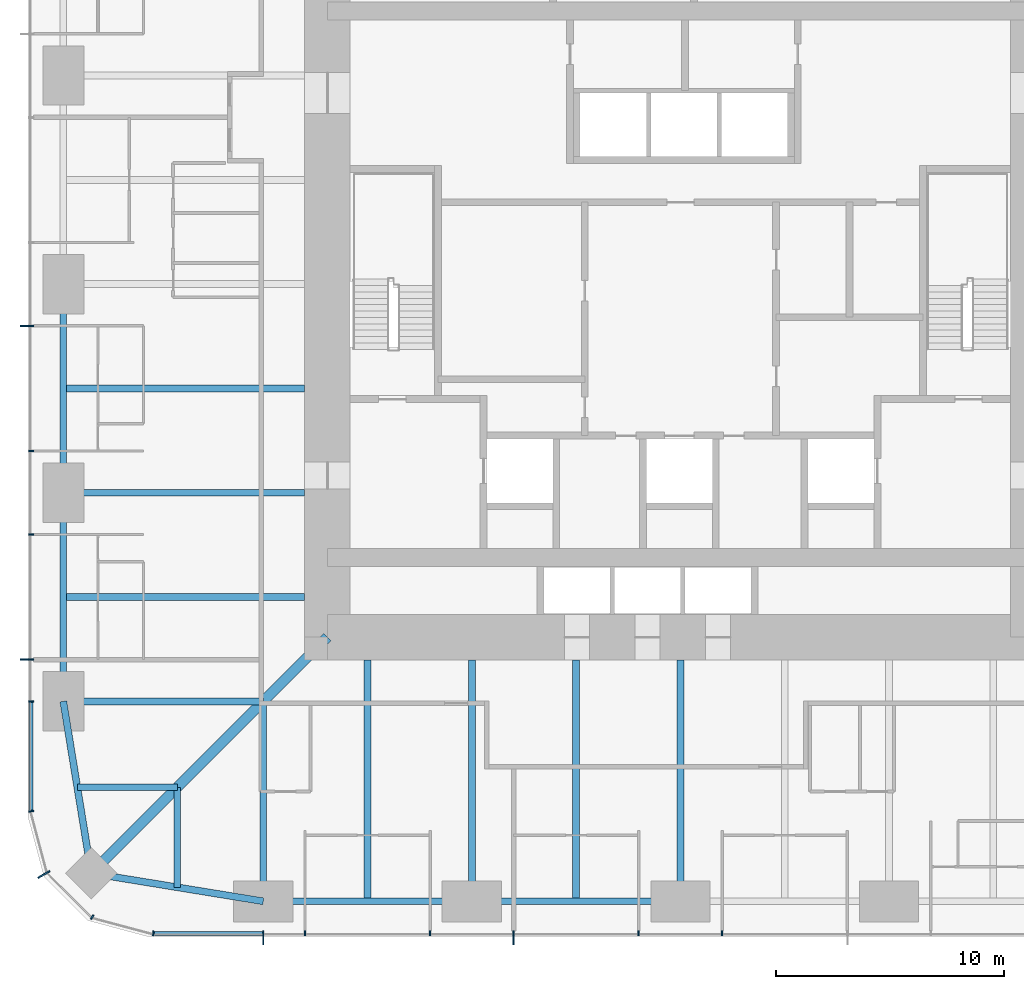
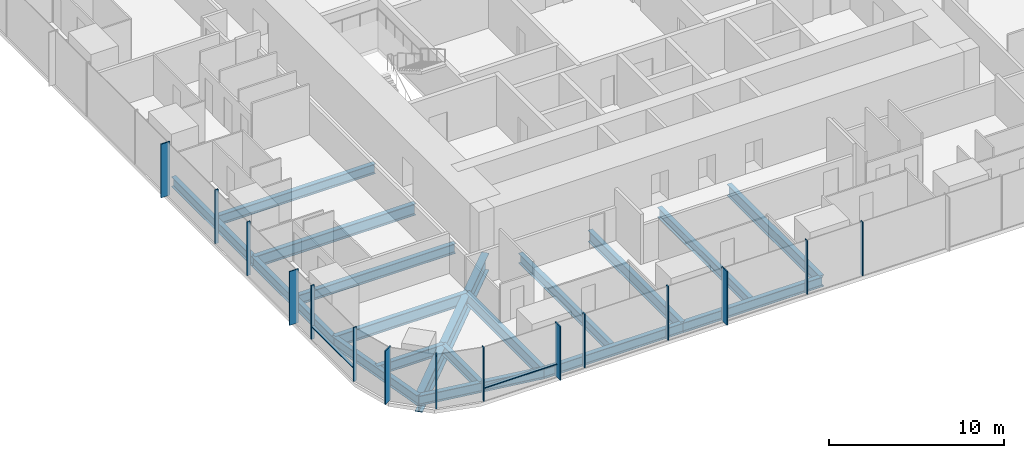
# One storey, part 2 of 13: 18 beams, 17 members, 3 elements without a shape of their own.
"""IFC4 building model written with IfcOpenShell, lengths in metres."""

from ifc_helpers import new_model, si_unit, direction, frame, origin, origin_2d, place, context, subcontext, project, spatial, rectangle, i_section, extrude, material, material_profile, profile_set, type_object, element, aggregate, save


model = new_model("IFC4")

# Units and contexts
model_context = context("Model", 3, precision=1e-05, world=origin(), true_north=direction((0.0, 1.0)))
body_context = subcontext(model_context, "Body", "Model", "MODEL_VIEW")
ifc_project = project(units=[si_unit("LENGTHUNIT", "METRE"), si_unit("AREAUNIT", "SQUARE_METRE"), si_unit("VOLUMEUNIT", "CUBIC_METRE"), si_unit("PLANEANGLEUNIT", "RADIAN"), si_unit("MASSUNIT", "GRAM", prefix="KILO")], contexts=[model_context])

# Site, building, storey
site_placement = place(None, origin())
site = spatial("IfcSite", under=ifc_project, at=site_placement, CompositionType="ELEMENT")
building_placement = place(site_placement, origin())
building = spatial("IfcBuilding", under=site, at=building_placement, Name="Khuree Lantern Residences", CompositionType="ELEMENT")
storey_placement = place(building_placement, frame((0.0, 0.0, 152.25)))
storey = spatial("IfcBuildingStorey", under=building, at=storey_placement, Name="L38", CompositionType="ELEMENT", Elevation=152.25)

# Beams
ifc_material_1 = material(Name="Steel S355", Category="steel")
ifc_material_profile_1 = material_profile(ifc_material_1, i_section(OverallWidth=0.300048828125, OverallDepth=0.68994140625, WebThickness=0.014404296875, FlangeThickness=0.027099609375, FilletRadius=0.027099609375, at=origin_2d()), Name="HE 700 A")
ifc_profile_set_1 = profile_set([ifc_material_profile_1], Name="Steel S355")
beam_type_1 = type_object("IfcBeamType", Name="B-24 SECONDARY BEAM HE 700 A", PredefinedType="BEAM", material=ifc_profile_set_1)
for number, where, z_axis, x_axis, name in (
    (1, (-4.580078125, -27.10009765625, -0.594970703125), (0.0, 1.0, 0.0), (-1.0, 0.0, 0.0), "Secondary beam S4"),
    (2, (-13.739990234375, -27.10009765625, -0.594970703125), (0.0, 1.0, 0.0), (-1.0, 0.0, 0.0), "Secondary beam S5"),
):
    element("IfcBeam", number, at=place(storey_placement, frame(where, z_axis=z_axis, x_axis=x_axis)), inside=storey, type_object=beam_type_1, Name=name, PredefinedType="BEAM", context=body_context, shape_type="SweptSolid", body=[
        extrude(i_section(OverallWidth=0.300048828125, OverallDepth=0.68994140625, WebThickness=0.014404296875, FlangeThickness=0.027099609375, FilletRadius=0.027099609375, at=origin_2d()), origin(), (0.0, 0.0, 1.0), 10.60009765625),
    ])
for number, where, z_axis, x_axis, name in (
    (3, (-22.094970703125, -26.48486328125, -0.594970703125), (0.0, 1.0, 0.0), (-1.0, 0.0, 0.0), "Secondary beam S6"),
    (4, (-26.48486328125, -22.094970703125, -0.594970703125), (1.0, 0.0, 0.0), (0.0, 1.0, 0.0), "Secondary beam W1"),
):
    element("IfcBeam", number, at=place(storey_placement, frame(where, z_axis=z_axis, x_axis=x_axis)), inside=storey, type_object=beam_type_1, Name=name, PredefinedType="BEAM", context=body_context, shape_type="SweptSolid", body=[
        extrude(i_section(OverallWidth=0.300048828125, OverallDepth=0.68994140625, WebThickness=0.014404296875, FlangeThickness=0.027099609375, FilletRadius=0.027099609375, at=origin_2d()), origin(), (0.0, 0.0, 1.0), 4.389892578125),
    ])
for number, where, z_axis, x_axis, name in (
    (5, (-27.10009765625, -13.739990234375, -0.594970703125), (1.0, 0.0, 0.0), (0.0, 1.0, 0.0), "Secondary beam W2"),
    (6, (-27.10009765625, -4.580078125, -0.594970703125), (1.0, 0.0, 0.0), (0.0, 1.0, 0.0), "Secondary beam W3"),
):
    element("IfcBeam", number, at=place(storey_placement, frame(where, z_axis=z_axis, x_axis=x_axis)), inside=storey, type_object=beam_type_1, Name=name, PredefinedType="BEAM", context=body_context, shape_type="SweptSolid", body=[
        extrude(i_section(OverallWidth=0.300048828125, OverallDepth=0.68994140625, WebThickness=0.014404296875, FlangeThickness=0.027099609375, FilletRadius=0.027099609375, at=origin_2d()), origin(), (0.0, 0.0, 1.0), 10.60009765625),
    ])
ifc_material_profile_2 = material_profile(ifc_material_1, i_section(OverallWidth=0.300048828125, OverallDepth=0.68994140625, WebThickness=0.014404296875, FlangeThickness=0.027099609375, FilletRadius=0.027099609375, at=origin_2d()), Name="HE 700 A")
ifc_profile_set_2 = profile_set([ifc_material_profile_2], Name="Steel S355")
beam_type_2 = type_object("IfcBeamType", Name="E-24 SPANDREL BEAM HE 700 A", PredefinedType="SPANDREL", material=ifc_profile_set_2)
beam_1_placement = place(storey_placement, frame((0.0, -27.10009765625, -0.594970703125), z_axis=(-1.0, 0.0, 0.0), x_axis=(0.0, -1.0, 0.0)))
element("IfcBeam", 7, at=beam_1_placement, inside=storey, type_object=beam_type_2, Name="Spandrel beam S4", PredefinedType="SPANDREL", context=body_context, shape_type="SweptSolid", body=[
    extrude(i_section(OverallWidth=0.300048828125, OverallDepth=0.68994140625, WebThickness=0.014404296875, FlangeThickness=0.027099609375, FilletRadius=0.027099609375, at=origin_2d()), origin(), (0.0, 0.0, 1.0), 9.159912109375),
])
beam_2_placement = place(storey_placement, frame((-9.159912109375, -27.10009765625, -0.594970703125), z_axis=(-1.0, 0.0, 0.0), x_axis=(0.0, -1.0, 0.0)))
element("IfcBeam", 8, at=beam_2_placement, inside=storey, type_object=beam_type_2, Name="Spandrel beam S5", PredefinedType="SPANDREL", context=body_context, shape_type="SweptSolid", body=[
    extrude(i_section(OverallWidth=0.300048828125, OverallDepth=0.68994140625, WebThickness=0.014404296875, FlangeThickness=0.027099609375, FilletRadius=0.027099609375, at=origin_2d()), origin(), (0.0, 0.0, 1.0), 9.16015625),
])
for number, where, z_axis, x_axis, name in (
    (9, (-18.320068359375, -27.10009765625, -0.594970703125), (-0.986982656839, 0.160826723833, 0.0), (-0.160826723833, -0.986982656839, 0.0), "Spandrel beam S6"),
    (10, (-25.869873046875, -25.869873046875, -0.594970703125), (-0.160826723833, 0.986982656839, 0.0), (-0.986982656839, -0.160826723833, 0.0), "Spandrel beam W1"),
):
    element("IfcBeam", number, at=place(storey_placement, frame(where, z_axis=z_axis, x_axis=x_axis)), inside=storey, type_object=beam_type_2, Name=name, PredefinedType="SPANDREL", context=body_context, shape_type="SweptSolid", body=[
        extrude(i_section(OverallWidth=0.300048828125, OverallDepth=0.68994140625, WebThickness=0.014404296875, FlangeThickness=0.027099609375, FilletRadius=0.027099609375, at=origin_2d()), origin(), (0.0, 0.0, 1.0), 7.6494140625),
    ])
beam_3_placement = place(storey_placement, frame((-27.10009765625, -18.320068359375, -0.594970703125), z_axis=(0.0, 1.0, 0.0), x_axis=(-1.0, 0.0, 0.0)))
element("IfcBeam", 11, at=beam_3_placement, inside=storey, type_object=beam_type_2, Name="Spandrel beam W2", PredefinedType="SPANDREL", context=body_context, shape_type="SweptSolid", body=[
    extrude(i_section(OverallWidth=0.300048828125, OverallDepth=0.68994140625, WebThickness=0.014404296875, FlangeThickness=0.027099609375, FilletRadius=0.027099609375, at=origin_2d()), origin(), (0.0, 0.0, 1.0), 9.16015625),
])
beam_4_placement = place(storey_placement, frame((-27.10009765625, -9.159912109375, -0.594970703125), z_axis=(0.0, 1.0, 0.0), x_axis=(-1.0, 0.0, 0.0)))
element("IfcBeam", 12, at=beam_4_placement, inside=storey, type_object=beam_type_2, Name="Spandrel beam W3", PredefinedType="SPANDREL", context=body_context, shape_type="SweptSolid", body=[
    extrude(i_section(OverallWidth=0.300048828125, OverallDepth=0.68994140625, WebThickness=0.014404296875, FlangeThickness=0.027099609375, FilletRadius=0.027099609375, at=origin_2d()), origin(), (0.0, 0.0, 1.0), 9.159912109375),
])

# Curtain wall, members
ifc_material_2 = material(Name="Bronze anodised aluminium", Category="aluminium")
curtain_wall_type_1 = type_object("IfcCurtainWallType", Name="CW-T1 TOWER FACE CURTAIN WALL", PredefinedType="USERDEFINED", material=ifc_material_2)
curtain_wall_1_placement = place(storey_placement, origin())
curtain_wall_1 = element("IfcCurtainWall", 13, at=curtain_wall_1_placement, inside=storey, type_object=curtain_wall_type_1, Name="L38 WEST FACE CURTAIN WALL", ObjectType="Stick-built curtain wall", PredefinedType="USERDEFINED")
ifc_material_profile_3 = material_profile(ifc_material_2, rectangle(XDim=0.06494140625, YDim=0.60009765625, at=origin_2d()), Name="F1 65X600")
ifc_profile_set_3 = profile_set([ifc_material_profile_3], Name="Bronze anodised aluminium")
member_type_1 = type_object("IfcMemberType", Name="F1 BRONZE FIN MULLION TOWER 65X600", PredefinedType="MULLION", material=ifc_profile_set_3)
member_1_placement = place(storey_placement, frame((-28.699951171875, -1.83203125, 0.0), z_axis=(0.0, 0.0, 1.0), x_axis=(0.0, -1.0, 0.0)))
member_1 = element("IfcMember", 14, at=member_1_placement, type_object=member_type_1, Name="L38 WEST FACE FIN MULLION 38", PredefinedType="MULLION", context=body_context, shape_type="SweptSolid", body=[
    extrude(rectangle(XDim=0.06494140625, YDim=0.60009765625, at=origin_2d()), origin(), (0.0, 0.0, 1.0), 3.75),
])
member_2_placement = place(storey_placement, frame((-28.699951171875, -16.488037109375, 0.0), z_axis=(0.0, 0.0, 1.0), x_axis=(0.0, -1.0, 0.0)))
member_2 = element("IfcMember", 15, at=member_2_placement, type_object=member_type_1, Name="L38 WEST FACE FIN MULLION 41", PredefinedType="MULLION", context=body_context, shape_type="SweptSolid", body=[
    extrude(rectangle(XDim=0.06494140625, YDim=0.60009765625, at=origin_2d()), origin(), (0.0, 0.0, 1.0), 3.75),
])

# Curtain wall, member
curtain_wall_type_2 = type_object("IfcCurtainWallType", Name="CW-T2 TOWER CORNER CURTAIN WALL", PredefinedType="USERDEFINED", material=ifc_material_2)
curtain_wall_2_placement = place(storey_placement, origin())
curtain_wall_2 = element("IfcCurtainWall", 16, at=curtain_wall_2_placement, inside=storey, type_object=curtain_wall_type_2, Name="L38 SOUTH-WEST CORNER CURTAIN WALL", ObjectType="Faceted corner curtain wall", PredefinedType="USERDEFINED")
member_3_placement = place(storey_placement, frame((-27.95654296875, -25.925048828125, 0.0), z_axis=(0.0, 0.0, 1.0), x_axis=(0.500000026995, -0.866025388199, 0.0)))
member_3 = element("IfcMember", 17, at=member_3_placement, type_object=member_type_1, Name="L38 SOUTH-WEST CORNER FIN MULLION 44", PredefinedType="MULLION", context=body_context, shape_type="SweptSolid", body=[
    extrude(rectangle(XDim=0.06494140625, YDim=0.60009765625, at=origin_2d()), origin(), (0.0, 0.0, 1.0), 3.75),
])

# Curtain wall, members
curtain_wall_3_placement = place(storey_placement, origin())
curtain_wall_3 = element("IfcCurtainWall", 18, at=curtain_wall_3_placement, inside=storey, type_object=curtain_wall_type_1, Name="L38 SOUTH FACE CURTAIN WALL", ObjectType="Stick-built curtain wall", PredefinedType="USERDEFINED")
member_4_placement = place(storey_placement, frame((-18.320068359375, -28.699951171875, 0.0), z_axis=(0.0, 0.0, 1.0), x_axis=(1.0, 0.0, 0.0)))
member_4 = element("IfcMember", 19, at=member_4_placement, type_object=member_type_1, Name="L38 SOUTH FACE FIN MULLION 47", PredefinedType="MULLION", context=body_context, shape_type="SweptSolid", body=[
    extrude(rectangle(XDim=0.06494140625, YDim=0.60009765625, at=origin_2d()), origin(), (0.0, 0.0, 1.0), 3.75),
])
member_5_placement = place(storey_placement, frame((-7.327880859375, -28.699951171875, 0.0), z_axis=(0.0, 0.0, 1.0), x_axis=(1.0, 0.0, 0.0)))
member_5 = element("IfcMember", 20, at=member_5_placement, type_object=member_type_1, Name="L38 SOUTH FACE FIN MULLION 50", PredefinedType="MULLION", context=body_context, shape_type="SweptSolid", body=[
    extrude(rectangle(XDim=0.06494140625, YDim=0.60009765625, at=origin_2d()), origin(), (0.0, 0.0, 1.0), 3.75),
])

# Beams
ifc_material_profile_4 = material_profile(ifc_material_1, i_section(OverallWidth=0.300048828125, OverallDepth=0.800048828125, WebThickness=0.017578125, FlangeThickness=0.032958984375, FilletRadius=0.030029296875, at=origin_2d()), Name="HE 800 B")
ifc_profile_set_4 = profile_set([ifc_material_profile_4], Name="Steel S355")
beam_type_3 = type_object("IfcBeamType", Name="G-24 GIRDER HE 800 B", PredefinedType="BEAM", material=ifc_profile_set_4)
for number, where, z_axis, x_axis, name in (
    (21, (0.0, -27.10009765625, -0.64990234375), (0.0, 1.0, 0.0), (-1.0, 0.0, 0.0), "Girder S3"),
    (22, (-9.159912109375, -27.10009765625, -0.64990234375), (0.0, 1.0, 0.0), (-1.0, 0.0, 0.0), "Girder S4"),
):
    element("IfcBeam", number, at=place(storey_placement, frame(where, z_axis=z_axis, x_axis=x_axis)), inside=storey, type_object=beam_type_3, Name=name, PredefinedType="BEAM", context=body_context, shape_type="SweptSolid", body=[
        extrude(i_section(OverallWidth=0.300048828125, OverallDepth=0.800048828125, WebThickness=0.017578125, FlangeThickness=0.032958984375, FilletRadius=0.030029296875, at=origin_2d()), origin(), (0.0, 0.0, 1.0), 10.60009765625),
    ])
for number, where, z_axis, x_axis, name in (
    (23, (-18.320068359375, -27.10009765625, -0.64990234375), (0.0, 1.0, 0.0), (-1.0, 0.0, 0.0), "Girder S5"),
    (24, (-27.10009765625, -18.320068359375, -0.64990234375), (1.0, 0.0, 0.0), (0.0, 1.0, 0.0), "Girder W1"),
):
    element("IfcBeam", number, at=place(storey_placement, frame(where, z_axis=z_axis, x_axis=x_axis)), inside=storey, type_object=beam_type_3, Name=name, PredefinedType="BEAM", context=body_context, shape_type="SweptSolid", body=[
        extrude(i_section(OverallWidth=0.300048828125, OverallDepth=0.800048828125, WebThickness=0.017578125, FlangeThickness=0.032958984375, FilletRadius=0.030029296875, at=origin_2d()), origin(), (0.0, 0.0, 1.0), 8.780029296875),
    ])
beam_5_placement = place(storey_placement, frame((-27.10009765625, -9.159912109375, -0.64990234375), z_axis=(1.0, 0.0, 0.0), x_axis=(0.0, 1.0, 0.0)))
element("IfcBeam", 25, at=beam_5_placement, inside=storey, type_object=beam_type_3, Name="Girder W2", PredefinedType="BEAM", context=body_context, shape_type="SweptSolid", body=[
    extrude(i_section(OverallWidth=0.300048828125, OverallDepth=0.800048828125, WebThickness=0.017578125, FlangeThickness=0.032958984375, FilletRadius=0.030029296875, at=origin_2d()), origin(), (0.0, 0.0, 1.0), 10.60009765625),
])
ifc_material_profile_5 = material_profile(ifc_material_1, i_section(OverallWidth=0.449951171875, OverallDepth=1.199951171875, WebThickness=0.02490234375, FlangeThickness=0.044921875, at=origin_2d()), Name="WELDED I 1200X450X25X45")
ifc_profile_set_5 = profile_set([ifc_material_profile_5], Name="Steel S355")
beam_type_4 = type_object("IfcBeamType", Name="GD-24 CORNER GIRDER WELDED I 1200X450X25X45", PredefinedType="BEAM", material=ifc_profile_set_5)
beam_6_placement = place(storey_placement, frame((-25.869873046875, -25.869873046875, -0.85009765625), z_axis=(0.707106781187, 0.707106781187, 0.0), x_axis=(-0.707106781187, 0.707106781187, 0.0)))
element("IfcBeam", 26, at=beam_6_placement, inside=storey, type_object=beam_type_4, Name="Corner girder SW", PredefinedType="BEAM", context=body_context, shape_type="SweptSolid", body=[
    extrude(i_section(OverallWidth=0.449951171875, OverallDepth=1.199951171875, WebThickness=0.02490234375, FlangeThickness=0.044921875, at=origin_2d()), origin(), (0.0, 0.0, 1.0), 14.665283203125),
])

# Member
ifc_material_profile_6 = material_profile(ifc_material_2, rectangle(XDim=0.06494140625, YDim=0.219970703125, at=origin_2d()), Name="M1 65X220")
ifc_profile_set_6 = profile_set([ifc_material_profile_6], Name="Bronze anodised aluminium")
member_type_2 = type_object("IfcMemberType", Name="M1 BRONZE MULLION TOWER 65X220", PredefinedType="MULLION", material=ifc_profile_set_6)
member_6_placement = place(storey_placement, frame((-28.510009765625, -7.327880859375, 0.0), z_axis=(0.0, 0.0, 1.0), x_axis=(0.0, -1.0, 0.0)))
member_6 = element("IfcMember", 27, at=member_6_placement, type_object=member_type_2, Name="L38 WEST FACE MULLION 39", PredefinedType="MULLION", context=body_context, shape_type="SweptSolid", body=[
    extrude(rectangle(XDim=0.06494140625, YDim=0.219970703125, at=origin_2d()), origin(), (0.0, 0.0, 1.0), 3.75),
])

member_7_placement = place(storey_placement, frame((-28.510009765625, -10.991943359375, 0.0), z_axis=(0.0, 0.0, 1.0), x_axis=(0.0, -1.0, 0.0)))
member_7 = element("IfcMember", 28, at=member_7_placement, type_object=member_type_2, Name="L38 WEST FACE MULLION 40", PredefinedType="MULLION", context=body_context, shape_type="SweptSolid", body=[
    extrude(rectangle(XDim=0.06494140625, YDim=0.219970703125, at=origin_2d()), origin(), (0.0, 0.0, 1.0), 3.75),
])

member_8_placement = place(storey_placement, frame((-28.510009765625, -18.320068359375, 0.0), z_axis=(0.0, 0.0, 1.0), x_axis=(0.0, -1.0, 0.0)))
member_8 = element("IfcMember", 29, at=member_8_placement, type_object=member_type_2, Name="L38 WEST FACE MULLION 42", PredefinedType="MULLION", context=body_context, shape_type="SweptSolid", body=[
    extrude(rectangle(XDim=0.06494140625, YDim=0.219970703125, at=origin_2d()), origin(), (0.0, 0.0, 1.0), 3.75),
])

member_9_placement = place(storey_placement, frame((-28.51171875, -23.14501953125, 0.0), z_axis=(0.0, 0.0, 1.0), x_axis=(0.130526223125, -0.991444857305, 0.0)))
member_9 = element("IfcMember", 30, at=member_9_placement, type_object=member_type_2, Name="L38 SOUTH-WEST CORNER MULLION 43", PredefinedType="MULLION", context=body_context, shape_type="SweptSolid", body=[
    extrude(rectangle(XDim=0.06494140625, YDim=0.219970703125, at=origin_2d()), origin(), (0.0, 0.0, 1.0), 3.75),
])

member_10_placement = place(storey_placement, frame((-25.830078125, -27.7919921875, 0.0), z_axis=(0.0, 0.0, 1.0), x_axis=(0.866025388199, -0.500000026995, 0.0)))
member_10 = element("IfcMember", 31, at=member_10_placement, type_object=member_type_2, Name="L38 SOUTH-WEST CORNER MULLION 45", PredefinedType="MULLION", context=body_context, shape_type="SweptSolid", body=[
    extrude(rectangle(XDim=0.06494140625, YDim=0.219970703125, at=origin_2d()), origin(), (0.0, 0.0, 1.0), 3.75),
])

aggregate(curtain_wall_2, [member_9, member_3, member_10])

member_11_placement = place(storey_placement, frame((-23.14501953125, -28.51171875, 0.0), z_axis=(0.0, 0.0, 1.0), x_axis=(0.991444857305, -0.130526223125, 0.0)))
member_11 = element("IfcMember", 32, at=member_11_placement, type_object=member_type_2, Name="L38 SOUTH FACE MULLION 46", PredefinedType="MULLION", context=body_context, shape_type="SweptSolid", body=[
    extrude(rectangle(XDim=0.06494140625, YDim=0.219970703125, at=origin_2d()), origin(), (0.0, 0.0, 1.0), 3.75),
])

member_12_placement = place(storey_placement, frame((-16.488037109375, -28.510009765625, 0.0), z_axis=(0.0, 0.0, 1.0), x_axis=(1.0, 0.0, 0.0)))
member_12 = element("IfcMember", 33, at=member_12_placement, type_object=member_type_2, Name="L38 SOUTH FACE MULLION 48", PredefinedType="MULLION", context=body_context, shape_type="SweptSolid", body=[
    extrude(rectangle(XDim=0.06494140625, YDim=0.219970703125, at=origin_2d()), origin(), (0.0, 0.0, 1.0), 3.75),
])

member_13_placement = place(storey_placement, frame((-10.991943359375, -28.510009765625, 0.0), z_axis=(0.0, 0.0, 1.0), x_axis=(1.0, 0.0, 0.0)))
member_13 = element("IfcMember", 34, at=member_13_placement, type_object=member_type_2, Name="L38 SOUTH FACE MULLION 49", PredefinedType="MULLION", context=body_context, shape_type="SweptSolid", body=[
    extrude(rectangle(XDim=0.06494140625, YDim=0.219970703125, at=origin_2d()), origin(), (0.0, 0.0, 1.0), 3.75),
])

member_14_placement = place(storey_placement, frame((-1.83203125, -28.510009765625, 0.0), z_axis=(0.0, 0.0, 1.0), x_axis=(1.0, 0.0, 0.0)))
member_14 = element("IfcMember", 35, at=member_14_placement, type_object=member_type_2, Name="L38 SOUTH FACE MULLION 51", PredefinedType="MULLION", context=body_context, shape_type="SweptSolid", body=[
    extrude(rectangle(XDim=0.06494140625, YDim=0.219970703125, at=origin_2d()), origin(), (0.0, 0.0, 1.0), 3.75),
])

member_15_placement = place(storey_placement, frame((1.83203125, -28.510009765625, 0.0), z_axis=(0.0, 0.0, 1.0), x_axis=(1.0, 0.0, 0.0)))
member_15 = element("IfcMember", 36, at=member_15_placement, type_object=member_type_2, Name="L38 SOUTH FACE MULLION 52", PredefinedType="MULLION", context=body_context, shape_type="SweptSolid", body=[
    extrude(rectangle(XDim=0.06494140625, YDim=0.219970703125, at=origin_2d()), origin(), (0.0, 0.0, 1.0), 3.75),
])

ifc_material_profile_7 = material_profile(ifc_material_2, rectangle(XDim=0.179931640625, YDim=0.06494140625, at=origin_2d()), Name="T1 180X65")
ifc_profile_set_7 = profile_set([ifc_material_profile_7], Name="Bronze anodised aluminium")
member_type_3 = type_object("IfcMemberType", Name="TRANSOM T1 TOWER 180X65", PredefinedType="USERDEFINED", material=ifc_profile_set_7)
member_16_placement = place(storey_placement, frame((-28.52001953125, -18.3525390625, 0.89990234375), z_axis=(0.0, -1.0, 0.0), x_axis=(1.0, 0.0, 0.0)))
member_16 = element("IfcMember", 37, at=member_16_placement, type_object=member_type_3, Name="L38 WEST FACE TRANSOM 42.1", ObjectType="Transom", PredefinedType="USERDEFINED", context=body_context, shape_type="SweptSolid", body=[
    extrude(rectangle(XDim=0.179931640625, YDim=0.06494140625, at=origin_2d()), origin(), (0.0, 0.0, 1.0), 4.748779296875),
])

aggregate(curtain_wall_1, [member_1, member_6, member_7, member_2, member_8, member_16])

member_17_placement = place(storey_placement, frame((-23.101318359375, -28.52001953125, 0.89990234375), z_axis=(1.0, 0.0, 0.0), x_axis=(0.0, 1.0, 0.0)))
member_17 = element("IfcMember", 38, at=member_17_placement, type_object=member_type_3, Name="L38 SOUTH FACE TRANSOM 46.1", ObjectType="Transom", PredefinedType="USERDEFINED", context=body_context, shape_type="SweptSolid", body=[
    extrude(rectangle(XDim=0.179931640625, YDim=0.06494140625, at=origin_2d()), origin(), (0.0, 0.0, 1.0), 4.748779296875),
])

aggregate(curtain_wall_3, [member_11, member_4, member_12, member_13, member_5, member_14, member_15, member_17])

save(model, "model.ifc")
